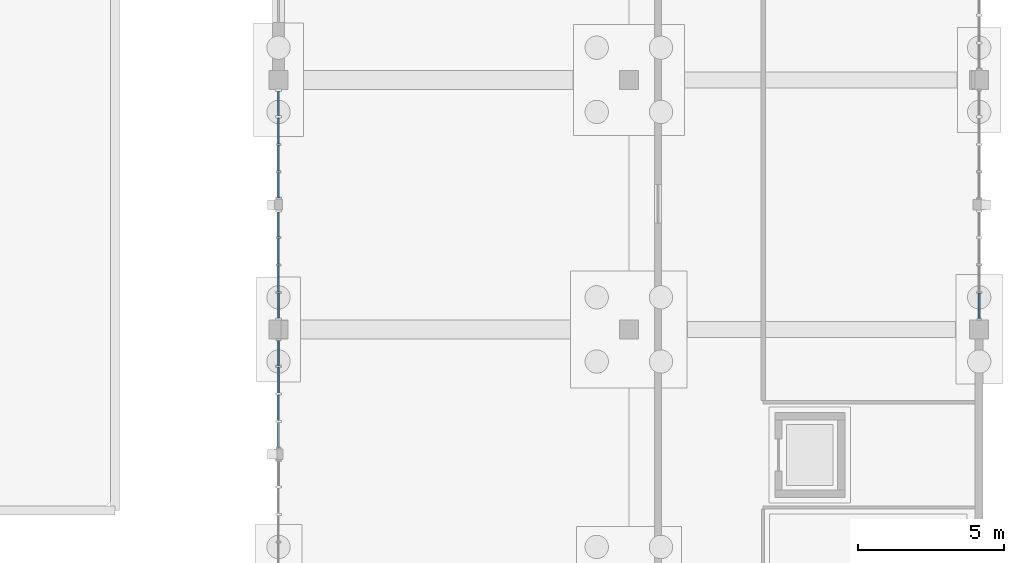
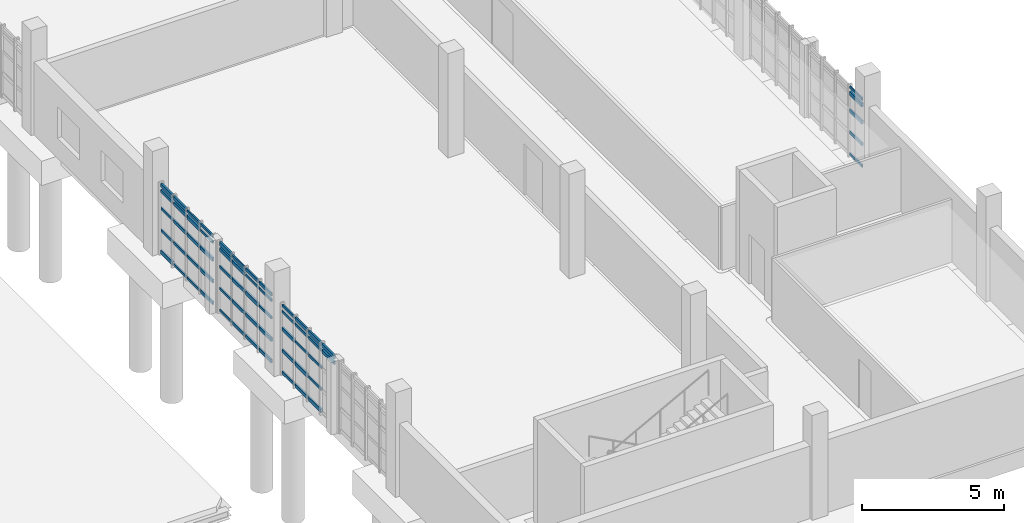
# One storey, part 71 of 125: 62 members, 4 elements without a shape of their own.
"""IFC4 building model written with IfcOpenShell, lengths in metres."""

from ifc_helpers import new_model, si_unit, direction, frame, origin, origin_2d, place, context, subcontext, project, spatial, rectangle, extrude, material, material_profile, profile_set, type_object, element, aggregate, save


model = new_model("IFC4")

# Units and contexts
model_context = context("Model", 3, precision=1e-05, world=origin(), true_north=direction((0.0, 1.0)))
body_context = subcontext(model_context, "Body", "Model", "MODEL_VIEW")
ifc_project = project(units=[si_unit("LENGTHUNIT", "METRE"), si_unit("AREAUNIT", "SQUARE_METRE"), si_unit("VOLUMEUNIT", "CUBIC_METRE"), si_unit("PLANEANGLEUNIT", "RADIAN"), si_unit("MASSUNIT", "GRAM", prefix="KILO")], contexts=[model_context])

# Site, building, storey
site_placement = place(None, origin())
site = spatial("IfcSite", under=ifc_project, at=site_placement, CompositionType="ELEMENT")
building_placement = place(site_placement, origin())
building = spatial("IfcBuilding", under=site, at=building_placement, Name="Serraforn Aerial Cableway Station", CompositionType="ELEMENT")
storey_placement = place(building_placement, frame((0.0, 0.0, 4.5)))
storey = spatial("IfcBuildingStorey", under=building, at=storey_placement, Name="L01", CompositionType="ELEMENT", Elevation=4.5)

# Curtain wall, members
ifc_material_1 = material(Name="Anodised bronze unitised curtain wall")
curtain_wall_type_1 = type_object("IfcCurtainWallType", Name="CW-SYS-3", PredefinedType="USERDEFINED", material=ifc_material_1)
curtain_wall_1_placement = place(storey_placement, origin())
curtain_wall_1 = element("IfcCurtainWall", 1, at=curtain_wall_1_placement, inside=storey, type_object=curtain_wall_type_1, Name="Unitised Curtain Wall CW-EG-L01-W2A", ObjectType="UNITISED CURTAIN WALL", PredefinedType="USERDEFINED")
ifc_material_2 = material(Name="Anodised bronze extruded aluminium", Category="aluminium")
ifc_material_profile_1 = material_profile(ifc_material_2, rectangle(XDim=0.054931640625, YDim=0.110107421875, at=origin_2d()), Name="CW TRANSOM 55x110")
ifc_profile_set_1 = profile_set([ifc_material_profile_1], Name="Anodised bronze extruded aluminium")
member_type_1 = type_object("IfcMemberType", Name="CW-TRN-1", PredefinedType="USERDEFINED", material=ifc_profile_set_1)
member_1_placement = place(storey_placement, frame((144.0, 62.319091796875, 2.74560546875), z_axis=(0.0, -1.0, 0.0), x_axis=(1.0, 0.0, 0.0)))
member_1 = element("IfcMember", 2, at=member_1_placement, type_object=member_type_1, Name="Curtain Wall Transom CW-EG-L01-W2A-T1-4", ObjectType="TRANSOM", PredefinedType="USERDEFINED", context=body_context, shape_type="SweptSolid", body=[
    extrude(rectangle(XDim=0.054931640625, YDim=0.110107421875, at=origin_2d()), origin(), (0.0, 0.0, 1.0), 0.8544921875),
])
member_2_placement = place(storey_placement, frame((144.0, 61.403564453125, 1.996826171875), z_axis=(0.0, -1.0, 0.0), x_axis=(1.0, 0.0, 0.0)))
member_2 = element("IfcMember", 3, at=member_2_placement, type_object=member_type_1, Name="Curtain Wall Transom CW-EG-L01-W2A-T2-3", ObjectType="TRANSOM", PredefinedType="USERDEFINED", context=body_context, shape_type="SweptSolid", body=[
    extrude(rectangle(XDim=0.054931640625, YDim=0.110107421875, at=origin_2d()), origin(), (0.0, 0.0, 1.0), 0.879638671875),
])
member_3_placement = place(storey_placement, frame((144.0, 60.4580078125, 1.060791015625), z_axis=(0.0, -1.0, 0.0), x_axis=(1.0, 0.0, 0.0)))
member_3 = element("IfcMember", 4, at=member_3_placement, type_object=member_type_1, Name="Curtain Wall Transom CW-EG-L01-W2A-T3-2", ObjectType="TRANSOM", PredefinedType="USERDEFINED", context=body_context, shape_type="SweptSolid", body=[
    extrude(rectangle(XDim=0.054931640625, YDim=0.110107421875, at=origin_2d()), origin(), (0.0, 0.0, 1.0), 0.87451171875),
])

curtain_wall_type_2 = type_object("IfcCurtainWallType", Name="CW-SYS-5", PredefinedType="USERDEFINED", material=ifc_material_1)
curtain_wall_2_placement = place(storey_placement, origin())
curtain_wall_2 = element("IfcCurtainWall", 5, at=curtain_wall_2_placement, inside=storey, type_object=curtain_wall_type_2, Name="Unitised Curtain Wall CW-EG-L01-W3A", ObjectType="UNITISED CURTAIN WALL", PredefinedType="USERDEFINED")
member_4_placement = place(storey_placement, frame((144.0, 70.85888671875, 1.060791015625), z_axis=(0.0, -1.0, 0.0), x_axis=(1.0, 0.0, 0.0)))
member_4 = element("IfcMember", 6, at=member_4_placement, type_object=member_type_1, Name="Curtain Wall Transom CW-EG-L01-W3A-T1-2", ObjectType="TRANSOM", PredefinedType="USERDEFINED", context=body_context, shape_type="SweptSolid", body=[
    extrude(rectangle(XDim=0.054931640625, YDim=0.110107421875, at=origin_2d()), origin(), (0.0, 0.0, 1.0), 0.83935546875),
])
member_5_placement = place(storey_placement, frame((144.0, 69.948486328125, 0.124755859375), z_axis=(0.0, -1.0, 0.0), x_axis=(1.0, 0.0, 0.0)))
member_5 = element("IfcMember", 7, at=member_5_placement, type_object=member_type_1, Name="Curtain Wall Transom CW-EG-L01-W3A-T2-1", ObjectType="TRANSOM", PredefinedType="USERDEFINED", context=body_context, shape_type="SweptSolid", body=[
    extrude(rectangle(XDim=0.054931640625, YDim=0.110107421875, at=origin_2d()), origin(), (0.0, 0.0, 1.0), 0.882080078125),
])
member_6_placement = place(storey_placement, frame((144.0, 69.015380859375, 2.9951171875), z_axis=(0.0, -1.0, 0.0), x_axis=(1.0, 0.0, 0.0)))
member_6 = element("IfcMember", 8, at=member_6_placement, type_object=member_type_1, Name="Curtain Wall Transom CW-EG-L01-W3A-T3-5", ObjectType="TRANSOM", PredefinedType="USERDEFINED", context=body_context, shape_type="SweptSolid", body=[
    extrude(rectangle(XDim=0.054931640625, YDim=0.110107421875, at=origin_2d()), origin(), (0.0, 0.0, 1.0), 0.889404296875),
])
member_7_placement = place(storey_placement, frame((144.0, 68.070068359375, 2.74560546875), z_axis=(0.0, -1.0, 0.0), x_axis=(1.0, 0.0, 0.0)))
member_7 = element("IfcMember", 9, at=member_7_placement, type_object=member_type_1, Name="Curtain Wall Transom CW-EG-L01-W3A-T4-4", ObjectType="TRANSOM", PredefinedType="USERDEFINED", context=body_context, shape_type="SweptSolid", body=[
    extrude(rectangle(XDim=0.054931640625, YDim=0.110107421875, at=origin_2d()), origin(), (0.0, 0.0, 1.0), 0.85205078125),
])

curtain_wall_type_3 = type_object("IfcCurtainWallType", Name="CW-SYS-6", PredefinedType="USERDEFINED", material=ifc_material_1)
curtain_wall_3_placement = place(storey_placement, origin())
curtain_wall_3 = element("IfcCurtainWall", 10, at=curtain_wall_3_placement, inside=storey, type_object=curtain_wall_type_3, Name="Unitised Curtain Wall CW-EG-L01-W3B", ObjectType="UNITISED CURTAIN WALL", PredefinedType="USERDEFINED")
member_8_placement = place(storey_placement, frame((144.0, 66.721923828125, 0.124755859375), z_axis=(0.0, -1.0, 0.0), x_axis=(1.0, 0.0, 0.0)))
member_8 = element("IfcMember", 11, at=member_8_placement, type_object=member_type_1, Name="Curtain Wall Transom CW-EG-L01-W3B-T1-1", ObjectType="TRANSOM", PredefinedType="USERDEFINED", context=body_context, shape_type="SweptSolid", body=[
    extrude(rectangle(XDim=0.054931640625, YDim=0.110107421875, at=origin_2d()), origin(), (0.0, 0.0, 1.0), 0.844482421875),
])
member_9_placement = place(storey_placement, frame((144.0, 65.826416015625, 2.9951171875), z_axis=(0.0, -1.0, 0.0), x_axis=(1.0, 0.0, 0.0)))
member_9 = element("IfcMember", 12, at=member_9_placement, type_object=member_type_1, Name="Curtain Wall Transom CW-EG-L01-W3B-T2-5", ObjectType="TRANSOM", PredefinedType="USERDEFINED", context=body_context, shape_type="SweptSolid", body=[
    extrude(rectangle(XDim=0.054931640625, YDim=0.110107421875, at=origin_2d()), origin(), (0.0, 0.0, 1.0), 0.889404296875),
])
member_10_placement = place(storey_placement, frame((144.0, 64.881103515625, 2.74560546875), z_axis=(0.0, -1.0, 0.0), x_axis=(1.0, 0.0, 0.0)))
member_10 = element("IfcMember", 13, at=member_10_placement, type_object=member_type_1, Name="Curtain Wall Transom CW-EG-L01-W3B-T3-4", ObjectType="TRANSOM", PredefinedType="USERDEFINED", context=body_context, shape_type="SweptSolid", body=[
    extrude(rectangle(XDim=0.054931640625, YDim=0.110107421875, at=origin_2d()), origin(), (0.0, 0.0, 1.0), 0.884521484375),
])
member_11_placement = place(storey_placement, frame((144.0, 63.935546875, 1.996826171875), z_axis=(0.0, -1.0, 0.0), x_axis=(1.0, 0.0, 0.0)))
member_11 = element("IfcMember", 14, at=member_11_placement, type_object=member_type_1, Name="Curtain Wall Transom CW-EG-L01-W3B-T4-3", ObjectType="TRANSOM", PredefinedType="USERDEFINED", context=body_context, shape_type="SweptSolid", body=[
    extrude(rectangle(XDim=0.054931640625, YDim=0.110107421875, at=origin_2d()), origin(), (0.0, 0.0, 1.0), 0.844482421875),
])

# Curtain wall, member
curtain_wall_type_4 = type_object("IfcCurtainWallType", Name="CW-SYS-7", PredefinedType="USERDEFINED", material=ifc_material_1)
curtain_wall_4_placement = place(storey_placement, origin())
curtain_wall_4 = element("IfcCurtainWall", 15, at=curtain_wall_4_placement, inside=storey, type_object=curtain_wall_type_4, Name="Unitised Curtain Wall CW-EG-L01-E3A", ObjectType="UNITISED CURTAIN WALL", PredefinedType="USERDEFINED")
member_12_placement = place(storey_placement, frame((168.0, 63.075927734375, 2.9951171875), z_axis=(0.0, 1.0, 0.0), x_axis=(-1.0, 0.0, 0.0)))
member_12 = element("IfcMember", 16, at=member_12_placement, type_object=member_type_1, Name="Curtain Wall Transom CW-EG-L01-E3A-T1-5", ObjectType="TRANSOM", PredefinedType="USERDEFINED", context=body_context, shape_type="SweptSolid", body=[
    extrude(rectangle(XDim=0.054931640625, YDim=0.110107421875, at=origin_2d()), origin(), (0.0, 0.0, 1.0), 0.862060546875),
])

# Member
ifc_material_profile_2 = material_profile(ifc_material_2, rectangle(XDim=0.06005859375, YDim=0.1201171875, at=origin_2d()), Name="CW TRANSOM 60x120")
ifc_profile_set_2 = profile_set([ifc_material_profile_2], Name="Anodised bronze extruded aluminium")
member_type_2 = type_object("IfcMemberType", Name="CW-TRN-2", PredefinedType="USERDEFINED", material=ifc_profile_set_2)
member_13_placement = place(storey_placement, frame((144.0, 62.319091796875, 2.9951171875), z_axis=(0.0, -1.0, 0.0), x_axis=(1.0, 0.0, 0.0)))
member_13 = element("IfcMember", 17, at=member_13_placement, type_object=member_type_2, Name="Curtain Wall Transom CW-EG-L01-W2A-T1-5", ObjectType="TRANSOM", PredefinedType="USERDEFINED", context=body_context, shape_type="SweptSolid", body=[
    extrude(rectangle(XDim=0.06005859375, YDim=0.1201171875, at=origin_2d()), origin(), (0.0, 0.0, 1.0), 0.8544921875),
])

member_14_placement = place(storey_placement, frame((144.0, 61.403564453125, 2.74560546875), z_axis=(0.0, -1.0, 0.0), x_axis=(1.0, 0.0, 0.0)))
member_14 = element("IfcMember", 18, at=member_14_placement, type_object=member_type_2, Name="Curtain Wall Transom CW-EG-L01-W2A-T2-4", ObjectType="TRANSOM", PredefinedType="USERDEFINED", context=body_context, shape_type="SweptSolid", body=[
    extrude(rectangle(XDim=0.06005859375, YDim=0.1201171875, at=origin_2d()), origin(), (0.0, 0.0, 1.0), 0.879638671875),
])

member_15_placement = place(storey_placement, frame((144.0, 60.4580078125, 1.996826171875), z_axis=(0.0, -1.0, 0.0), x_axis=(1.0, 0.0, 0.0)))
member_15 = element("IfcMember", 19, at=member_15_placement, type_object=member_type_2, Name="Curtain Wall Transom CW-EG-L01-W2A-T3-3", ObjectType="TRANSOM", PredefinedType="USERDEFINED", context=body_context, shape_type="SweptSolid", body=[
    extrude(rectangle(XDim=0.06005859375, YDim=0.1201171875, at=origin_2d()), origin(), (0.0, 0.0, 1.0), 0.87451171875),
])

member_16_placement = place(storey_placement, frame((144.0, 70.85888671875, 1.996826171875), z_axis=(0.0, -1.0, 0.0), x_axis=(1.0, 0.0, 0.0)))
member_16 = element("IfcMember", 20, at=member_16_placement, type_object=member_type_2, Name="Curtain Wall Transom CW-EG-L01-W3A-T1-3", ObjectType="TRANSOM", PredefinedType="USERDEFINED", context=body_context, shape_type="SweptSolid", body=[
    extrude(rectangle(XDim=0.06005859375, YDim=0.1201171875, at=origin_2d()), origin(), (0.0, 0.0, 1.0), 0.83935546875),
])

member_17_placement = place(storey_placement, frame((144.0, 69.948486328125, 1.060791015625), z_axis=(0.0, -1.0, 0.0), x_axis=(1.0, 0.0, 0.0)))
member_17 = element("IfcMember", 21, at=member_17_placement, type_object=member_type_2, Name="Curtain Wall Transom CW-EG-L01-W3A-T2-2", ObjectType="TRANSOM", PredefinedType="USERDEFINED", context=body_context, shape_type="SweptSolid", body=[
    extrude(rectangle(XDim=0.06005859375, YDim=0.1201171875, at=origin_2d()), origin(), (0.0, 0.0, 1.0), 0.882080078125),
])

member_18_placement = place(storey_placement, frame((144.0, 69.015380859375, 0.124755859375), z_axis=(0.0, -1.0, 0.0), x_axis=(1.0, 0.0, 0.0)))
member_18 = element("IfcMember", 22, at=member_18_placement, type_object=member_type_2, Name="Curtain Wall Transom CW-EG-L01-W3A-T3-1", ObjectType="TRANSOM", PredefinedType="USERDEFINED", context=body_context, shape_type="SweptSolid", body=[
    extrude(rectangle(XDim=0.06005859375, YDim=0.1201171875, at=origin_2d()), origin(), (0.0, 0.0, 1.0), 0.889404296875),
])

member_19_placement = place(storey_placement, frame((144.0, 68.070068359375, 2.9951171875), z_axis=(0.0, -1.0, 0.0), x_axis=(1.0, 0.0, 0.0)))
member_19 = element("IfcMember", 23, at=member_19_placement, type_object=member_type_2, Name="Curtain Wall Transom CW-EG-L01-W3A-T4-5", ObjectType="TRANSOM", PredefinedType="USERDEFINED", context=body_context, shape_type="SweptSolid", body=[
    extrude(rectangle(XDim=0.06005859375, YDim=0.1201171875, at=origin_2d()), origin(), (0.0, 0.0, 1.0), 0.85205078125),
])

member_20_placement = place(storey_placement, frame((144.0, 66.721923828125, 1.060791015625), z_axis=(0.0, -1.0, 0.0), x_axis=(1.0, 0.0, 0.0)))
member_20 = element("IfcMember", 24, at=member_20_placement, type_object=member_type_2, Name="Curtain Wall Transom CW-EG-L01-W3B-T1-2", ObjectType="TRANSOM", PredefinedType="USERDEFINED", context=body_context, shape_type="SweptSolid", body=[
    extrude(rectangle(XDim=0.06005859375, YDim=0.1201171875, at=origin_2d()), origin(), (0.0, 0.0, 1.0), 0.844482421875),
])

member_21_placement = place(storey_placement, frame((144.0, 65.826416015625, 0.124755859375), z_axis=(0.0, -1.0, 0.0), x_axis=(1.0, 0.0, 0.0)))
member_21 = element("IfcMember", 25, at=member_21_placement, type_object=member_type_2, Name="Curtain Wall Transom CW-EG-L01-W3B-T2-1", ObjectType="TRANSOM", PredefinedType="USERDEFINED", context=body_context, shape_type="SweptSolid", body=[
    extrude(rectangle(XDim=0.06005859375, YDim=0.1201171875, at=origin_2d()), origin(), (0.0, 0.0, 1.0), 0.889404296875),
])

member_22_placement = place(storey_placement, frame((144.0, 64.881103515625, 2.9951171875), z_axis=(0.0, -1.0, 0.0), x_axis=(1.0, 0.0, 0.0)))
member_22 = element("IfcMember", 26, at=member_22_placement, type_object=member_type_2, Name="Curtain Wall Transom CW-EG-L01-W3B-T3-5", ObjectType="TRANSOM", PredefinedType="USERDEFINED", context=body_context, shape_type="SweptSolid", body=[
    extrude(rectangle(XDim=0.06005859375, YDim=0.1201171875, at=origin_2d()), origin(), (0.0, 0.0, 1.0), 0.884521484375),
])

member_23_placement = place(storey_placement, frame((144.0, 63.935546875, 2.74560546875), z_axis=(0.0, -1.0, 0.0), x_axis=(1.0, 0.0, 0.0)))
member_23 = element("IfcMember", 27, at=member_23_placement, type_object=member_type_2, Name="Curtain Wall Transom CW-EG-L01-W3B-T4-4", ObjectType="TRANSOM", PredefinedType="USERDEFINED", context=body_context, shape_type="SweptSolid", body=[
    extrude(rectangle(XDim=0.06005859375, YDim=0.1201171875, at=origin_2d()), origin(), (0.0, 0.0, 1.0), 0.844482421875),
])

member_24_placement = place(storey_placement, frame((168.0, 63.075927734375, 0.124755859375), z_axis=(0.0, 1.0, 0.0), x_axis=(-1.0, 0.0, 0.0)))
member_24 = element("IfcMember", 28, at=member_24_placement, type_object=member_type_2, Name="Curtain Wall Transom CW-EG-L01-E3A-T1-1", ObjectType="TRANSOM", PredefinedType="USERDEFINED", context=body_context, shape_type="SweptSolid", body=[
    extrude(rectangle(XDim=0.06005859375, YDim=0.1201171875, at=origin_2d()), origin(), (0.0, 0.0, 1.0), 0.862060546875),
])

ifc_material_profile_3 = material_profile(ifc_material_2, rectangle(XDim=0.06494140625, YDim=0.135009765625, at=origin_2d()), Name="CW TRANSOM 65x135")
ifc_profile_set_3 = profile_set([ifc_material_profile_3], Name="Anodised bronze extruded aluminium")
member_type_3 = type_object("IfcMemberType", Name="CW-TRN-3", PredefinedType="USERDEFINED", material=ifc_profile_set_3)
member_25_placement = place(storey_placement, frame((144.0, 62.319091796875, 0.124755859375), z_axis=(0.0, -1.0, 0.0), x_axis=(1.0, 0.0, 0.0)))
member_25 = element("IfcMember", 29, at=member_25_placement, type_object=member_type_3, Name="Curtain Wall Transom CW-EG-L01-W2A-T1-1", ObjectType="TRANSOM", PredefinedType="USERDEFINED", context=body_context, shape_type="SweptSolid", body=[
    extrude(rectangle(XDim=0.06494140625, YDim=0.135009765625, at=origin_2d()), origin(), (0.0, 0.0, 1.0), 0.8544921875),
])

member_26_placement = place(storey_placement, frame((144.0, 61.403564453125, 2.9951171875), z_axis=(0.0, -1.0, 0.0), x_axis=(1.0, 0.0, 0.0)))
member_26 = element("IfcMember", 30, at=member_26_placement, type_object=member_type_3, Name="Curtain Wall Transom CW-EG-L01-W2A-T2-5", ObjectType="TRANSOM", PredefinedType="USERDEFINED", context=body_context, shape_type="SweptSolid", body=[
    extrude(rectangle(XDim=0.06494140625, YDim=0.135009765625, at=origin_2d()), origin(), (0.0, 0.0, 1.0), 0.879638671875),
])

member_27_placement = place(storey_placement, frame((144.0, 60.4580078125, 2.74560546875), z_axis=(0.0, -1.0, 0.0), x_axis=(1.0, 0.0, 0.0)))
member_27 = element("IfcMember", 31, at=member_27_placement, type_object=member_type_3, Name="Curtain Wall Transom CW-EG-L01-W2A-T3-4", ObjectType="TRANSOM", PredefinedType="USERDEFINED", context=body_context, shape_type="SweptSolid", body=[
    extrude(rectangle(XDim=0.06494140625, YDim=0.135009765625, at=origin_2d()), origin(), (0.0, 0.0, 1.0), 0.87451171875),
])

member_28_placement = place(storey_placement, frame((144.0, 70.85888671875, 2.74560546875), z_axis=(0.0, -1.0, 0.0), x_axis=(1.0, 0.0, 0.0)))
member_28 = element("IfcMember", 32, at=member_28_placement, type_object=member_type_3, Name="Curtain Wall Transom CW-EG-L01-W3A-T1-4", ObjectType="TRANSOM", PredefinedType="USERDEFINED", context=body_context, shape_type="SweptSolid", body=[
    extrude(rectangle(XDim=0.06494140625, YDim=0.135009765625, at=origin_2d()), origin(), (0.0, 0.0, 1.0), 0.83935546875),
])

member_29_placement = place(storey_placement, frame((144.0, 69.948486328125, 1.996826171875), z_axis=(0.0, -1.0, 0.0), x_axis=(1.0, 0.0, 0.0)))
member_29 = element("IfcMember", 33, at=member_29_placement, type_object=member_type_3, Name="Curtain Wall Transom CW-EG-L01-W3A-T2-3", ObjectType="TRANSOM", PredefinedType="USERDEFINED", context=body_context, shape_type="SweptSolid", body=[
    extrude(rectangle(XDim=0.06494140625, YDim=0.135009765625, at=origin_2d()), origin(), (0.0, 0.0, 1.0), 0.882080078125),
])

member_30_placement = place(storey_placement, frame((144.0, 69.015380859375, 1.060791015625), z_axis=(0.0, -1.0, 0.0), x_axis=(1.0, 0.0, 0.0)))
member_30 = element("IfcMember", 34, at=member_30_placement, type_object=member_type_3, Name="Curtain Wall Transom CW-EG-L01-W3A-T3-2", ObjectType="TRANSOM", PredefinedType="USERDEFINED", context=body_context, shape_type="SweptSolid", body=[
    extrude(rectangle(XDim=0.06494140625, YDim=0.135009765625, at=origin_2d()), origin(), (0.0, 0.0, 1.0), 0.889404296875),
])

member_31_placement = place(storey_placement, frame((144.0, 68.070068359375, 0.124755859375), z_axis=(0.0, -1.0, 0.0), x_axis=(1.0, 0.0, 0.0)))
member_31 = element("IfcMember", 35, at=member_31_placement, type_object=member_type_3, Name="Curtain Wall Transom CW-EG-L01-W3A-T4-1", ObjectType="TRANSOM", PredefinedType="USERDEFINED", context=body_context, shape_type="SweptSolid", body=[
    extrude(rectangle(XDim=0.06494140625, YDim=0.135009765625, at=origin_2d()), origin(), (0.0, 0.0, 1.0), 0.85205078125),
])

member_32_placement = place(storey_placement, frame((144.0, 66.721923828125, 1.996826171875), z_axis=(0.0, -1.0, 0.0), x_axis=(1.0, 0.0, 0.0)))
member_32 = element("IfcMember", 36, at=member_32_placement, type_object=member_type_3, Name="Curtain Wall Transom CW-EG-L01-W3B-T1-3", ObjectType="TRANSOM", PredefinedType="USERDEFINED", context=body_context, shape_type="SweptSolid", body=[
    extrude(rectangle(XDim=0.06494140625, YDim=0.135009765625, at=origin_2d()), origin(), (0.0, 0.0, 1.0), 0.844482421875),
])

member_33_placement = place(storey_placement, frame((144.0, 65.826416015625, 1.060791015625), z_axis=(0.0, -1.0, 0.0), x_axis=(1.0, 0.0, 0.0)))
member_33 = element("IfcMember", 37, at=member_33_placement, type_object=member_type_3, Name="Curtain Wall Transom CW-EG-L01-W3B-T2-2", ObjectType="TRANSOM", PredefinedType="USERDEFINED", context=body_context, shape_type="SweptSolid", body=[
    extrude(rectangle(XDim=0.06494140625, YDim=0.135009765625, at=origin_2d()), origin(), (0.0, 0.0, 1.0), 0.889404296875),
])

member_34_placement = place(storey_placement, frame((144.0, 64.881103515625, 0.124755859375), z_axis=(0.0, -1.0, 0.0), x_axis=(1.0, 0.0, 0.0)))
member_34 = element("IfcMember", 38, at=member_34_placement, type_object=member_type_3, Name="Curtain Wall Transom CW-EG-L01-W3B-T3-1", ObjectType="TRANSOM", PredefinedType="USERDEFINED", context=body_context, shape_type="SweptSolid", body=[
    extrude(rectangle(XDim=0.06494140625, YDim=0.135009765625, at=origin_2d()), origin(), (0.0, 0.0, 1.0), 0.884521484375),
])

member_35_placement = place(storey_placement, frame((144.0, 63.935546875, 2.9951171875), z_axis=(0.0, -1.0, 0.0), x_axis=(1.0, 0.0, 0.0)))
member_35 = element("IfcMember", 39, at=member_35_placement, type_object=member_type_3, Name="Curtain Wall Transom CW-EG-L01-W3B-T4-5", ObjectType="TRANSOM", PredefinedType="USERDEFINED", context=body_context, shape_type="SweptSolid", body=[
    extrude(rectangle(XDim=0.06494140625, YDim=0.135009765625, at=origin_2d()), origin(), (0.0, 0.0, 1.0), 0.844482421875),
])

member_36_placement = place(storey_placement, frame((168.0, 63.075927734375, 1.060791015625), z_axis=(0.0, 1.0, 0.0), x_axis=(-1.0, 0.0, 0.0)))
member_36 = element("IfcMember", 40, at=member_36_placement, type_object=member_type_3, Name="Curtain Wall Transom CW-EG-L01-E3A-T1-2", ObjectType="TRANSOM", PredefinedType="USERDEFINED", context=body_context, shape_type="SweptSolid", body=[
    extrude(rectangle(XDim=0.06494140625, YDim=0.135009765625, at=origin_2d()), origin(), (0.0, 0.0, 1.0), 0.862060546875),
])

ifc_material_profile_4 = material_profile(ifc_material_2, rectangle(XDim=0.070068359375, YDim=0.14990234375, at=origin_2d()), Name="CW TRANSOM 70x150")
ifc_profile_set_4 = profile_set([ifc_material_profile_4], Name="Anodised bronze extruded aluminium")
member_type_4 = type_object("IfcMemberType", Name="CW-TRN-4", PredefinedType="USERDEFINED", material=ifc_profile_set_4)
member_37_placement = place(storey_placement, frame((144.0, 62.319091796875, 1.060791015625), z_axis=(0.0, -1.0, 0.0), x_axis=(1.0, 0.0, 0.0)))
member_37 = element("IfcMember", 41, at=member_37_placement, type_object=member_type_4, Name="Curtain Wall Transom CW-EG-L01-W2A-T1-2", ObjectType="TRANSOM", PredefinedType="USERDEFINED", context=body_context, shape_type="SweptSolid", body=[
    extrude(rectangle(XDim=0.070068359375, YDim=0.14990234375, at=origin_2d()), origin(), (0.0, 0.0, 1.0), 0.8544921875),
])

member_38_placement = place(storey_placement, frame((144.0, 61.403564453125, 0.124755859375), z_axis=(0.0, -1.0, 0.0), x_axis=(1.0, 0.0, 0.0)))
member_38 = element("IfcMember", 42, at=member_38_placement, type_object=member_type_4, Name="Curtain Wall Transom CW-EG-L01-W2A-T2-1", ObjectType="TRANSOM", PredefinedType="USERDEFINED", context=body_context, shape_type="SweptSolid", body=[
    extrude(rectangle(XDim=0.070068359375, YDim=0.14990234375, at=origin_2d()), origin(), (0.0, 0.0, 1.0), 0.879638671875),
])

member_39_placement = place(storey_placement, frame((144.0, 60.4580078125, 2.9951171875), z_axis=(0.0, -1.0, 0.0), x_axis=(1.0, 0.0, 0.0)))
member_39 = element("IfcMember", 43, at=member_39_placement, type_object=member_type_4, Name="Curtain Wall Transom CW-EG-L01-W2A-T3-5", ObjectType="TRANSOM", PredefinedType="USERDEFINED", context=body_context, shape_type="SweptSolid", body=[
    extrude(rectangle(XDim=0.070068359375, YDim=0.14990234375, at=origin_2d()), origin(), (0.0, 0.0, 1.0), 0.87451171875),
])

member_40_placement = place(storey_placement, frame((144.0, 59.512451171875, 2.74560546875), z_axis=(0.0, -1.0, 0.0), x_axis=(1.0, 0.0, 0.0)))
member_40 = element("IfcMember", 44, at=member_40_placement, type_object=member_type_4, Name="Curtain Wall Transom CW-EG-L01-W2A-T4-4", ObjectType="TRANSOM", PredefinedType="USERDEFINED", context=body_context, shape_type="SweptSolid", body=[
    extrude(rectangle(XDim=0.070068359375, YDim=0.14990234375, at=origin_2d()), origin(), (0.0, 0.0, 1.0), 0.8544921875),
])

member_41_placement = place(storey_placement, frame((144.0, 70.85888671875, 2.9951171875), z_axis=(0.0, -1.0, 0.0), x_axis=(1.0, 0.0, 0.0)))
member_41 = element("IfcMember", 45, at=member_41_placement, type_object=member_type_4, Name="Curtain Wall Transom CW-EG-L01-W3A-T1-5", ObjectType="TRANSOM", PredefinedType="USERDEFINED", context=body_context, shape_type="SweptSolid", body=[
    extrude(rectangle(XDim=0.070068359375, YDim=0.14990234375, at=origin_2d()), origin(), (0.0, 0.0, 1.0), 0.83935546875),
])

member_42_placement = place(storey_placement, frame((144.0, 69.948486328125, 2.74560546875), z_axis=(0.0, -1.0, 0.0), x_axis=(1.0, 0.0, 0.0)))
member_42 = element("IfcMember", 46, at=member_42_placement, type_object=member_type_4, Name="Curtain Wall Transom CW-EG-L01-W3A-T2-4", ObjectType="TRANSOM", PredefinedType="USERDEFINED", context=body_context, shape_type="SweptSolid", body=[
    extrude(rectangle(XDim=0.070068359375, YDim=0.14990234375, at=origin_2d()), origin(), (0.0, 0.0, 1.0), 0.882080078125),
])

member_43_placement = place(storey_placement, frame((144.0, 69.015380859375, 1.996826171875), z_axis=(0.0, -1.0, 0.0), x_axis=(1.0, 0.0, 0.0)))
member_43 = element("IfcMember", 47, at=member_43_placement, type_object=member_type_4, Name="Curtain Wall Transom CW-EG-L01-W3A-T3-3", ObjectType="TRANSOM", PredefinedType="USERDEFINED", context=body_context, shape_type="SweptSolid", body=[
    extrude(rectangle(XDim=0.070068359375, YDim=0.14990234375, at=origin_2d()), origin(), (0.0, 0.0, 1.0), 0.889404296875),
])

member_44_placement = place(storey_placement, frame((144.0, 68.070068359375, 1.060791015625), z_axis=(0.0, -1.0, 0.0), x_axis=(1.0, 0.0, 0.0)))
member_44 = element("IfcMember", 48, at=member_44_placement, type_object=member_type_4, Name="Curtain Wall Transom CW-EG-L01-W3A-T4-2", ObjectType="TRANSOM", PredefinedType="USERDEFINED", context=body_context, shape_type="SweptSolid", body=[
    extrude(rectangle(XDim=0.070068359375, YDim=0.14990234375, at=origin_2d()), origin(), (0.0, 0.0, 1.0), 0.85205078125),
])

member_45_placement = place(storey_placement, frame((144.0, 66.721923828125, 2.74560546875), z_axis=(0.0, -1.0, 0.0), x_axis=(1.0, 0.0, 0.0)))
member_45 = element("IfcMember", 49, at=member_45_placement, type_object=member_type_4, Name="Curtain Wall Transom CW-EG-L01-W3B-T1-4", ObjectType="TRANSOM", PredefinedType="USERDEFINED", context=body_context, shape_type="SweptSolid", body=[
    extrude(rectangle(XDim=0.070068359375, YDim=0.14990234375, at=origin_2d()), origin(), (0.0, 0.0, 1.0), 0.844482421875),
])

member_46_placement = place(storey_placement, frame((144.0, 65.826416015625, 1.996826171875), z_axis=(0.0, -1.0, 0.0), x_axis=(1.0, 0.0, 0.0)))
member_46 = element("IfcMember", 50, at=member_46_placement, type_object=member_type_4, Name="Curtain Wall Transom CW-EG-L01-W3B-T2-3", ObjectType="TRANSOM", PredefinedType="USERDEFINED", context=body_context, shape_type="SweptSolid", body=[
    extrude(rectangle(XDim=0.070068359375, YDim=0.14990234375, at=origin_2d()), origin(), (0.0, 0.0, 1.0), 0.889404296875),
])

member_47_placement = place(storey_placement, frame((144.0, 64.881103515625, 1.060791015625), z_axis=(0.0, -1.0, 0.0), x_axis=(1.0, 0.0, 0.0)))
member_47 = element("IfcMember", 51, at=member_47_placement, type_object=member_type_4, Name="Curtain Wall Transom CW-EG-L01-W3B-T3-2", ObjectType="TRANSOM", PredefinedType="USERDEFINED", context=body_context, shape_type="SweptSolid", body=[
    extrude(rectangle(XDim=0.070068359375, YDim=0.14990234375, at=origin_2d()), origin(), (0.0, 0.0, 1.0), 0.884521484375),
])

member_48_placement = place(storey_placement, frame((144.0, 63.935546875, 0.124755859375), z_axis=(0.0, -1.0, 0.0), x_axis=(1.0, 0.0, 0.0)))
member_48 = element("IfcMember", 52, at=member_48_placement, type_object=member_type_4, Name="Curtain Wall Transom CW-EG-L01-W3B-T4-1", ObjectType="TRANSOM", PredefinedType="USERDEFINED", context=body_context, shape_type="SweptSolid", body=[
    extrude(rectangle(XDim=0.070068359375, YDim=0.14990234375, at=origin_2d()), origin(), (0.0, 0.0, 1.0), 0.844482421875),
])

member_49_placement = place(storey_placement, frame((168.0, 63.075927734375, 1.996826171875), z_axis=(0.0, 1.0, 0.0), x_axis=(-1.0, 0.0, 0.0)))
member_49 = element("IfcMember", 53, at=member_49_placement, type_object=member_type_4, Name="Curtain Wall Transom CW-EG-L01-E3A-T1-3", ObjectType="TRANSOM", PredefinedType="USERDEFINED", context=body_context, shape_type="SweptSolid", body=[
    extrude(rectangle(XDim=0.070068359375, YDim=0.14990234375, at=origin_2d()), origin(), (0.0, 0.0, 1.0), 0.862060546875),
])

ifc_material_profile_5 = material_profile(ifc_material_2, rectangle(XDim=0.074951171875, YDim=0.1650390625, at=origin_2d()), Name="CW TRANSOM 75x165")
ifc_profile_set_5 = profile_set([ifc_material_profile_5], Name="Anodised bronze extruded aluminium")
member_type_5 = type_object("IfcMemberType", Name="CW-TRN-5", PredefinedType="USERDEFINED", material=ifc_profile_set_5)
member_50_placement = place(storey_placement, frame((144.0, 62.319091796875, 1.996826171875), z_axis=(0.0, -1.0, 0.0), x_axis=(1.0, 0.0, 0.0)))
member_50 = element("IfcMember", 54, at=member_50_placement, type_object=member_type_5, Name="Curtain Wall Transom CW-EG-L01-W2A-T1-3", ObjectType="TRANSOM", PredefinedType="USERDEFINED", context=body_context, shape_type="SweptSolid", body=[
    extrude(rectangle(XDim=0.074951171875, YDim=0.1650390625, at=origin_2d()), origin(), (0.0, 0.0, 1.0), 0.8544921875),
])

member_51_placement = place(storey_placement, frame((144.0, 61.403564453125, 1.060791015625), z_axis=(0.0, -1.0, 0.0), x_axis=(1.0, 0.0, 0.0)))
member_51 = element("IfcMember", 55, at=member_51_placement, type_object=member_type_5, Name="Curtain Wall Transom CW-EG-L01-W2A-T2-2", ObjectType="TRANSOM", PredefinedType="USERDEFINED", context=body_context, shape_type="SweptSolid", body=[
    extrude(rectangle(XDim=0.074951171875, YDim=0.1650390625, at=origin_2d()), origin(), (0.0, 0.0, 1.0), 0.879638671875),
])

member_52_placement = place(storey_placement, frame((144.0, 60.4580078125, 0.124755859375), z_axis=(0.0, -1.0, 0.0), x_axis=(1.0, 0.0, 0.0)))
member_52 = element("IfcMember", 56, at=member_52_placement, type_object=member_type_5, Name="Curtain Wall Transom CW-EG-L01-W2A-T3-1", ObjectType="TRANSOM", PredefinedType="USERDEFINED", context=body_context, shape_type="SweptSolid", body=[
    extrude(rectangle(XDim=0.074951171875, YDim=0.1650390625, at=origin_2d()), origin(), (0.0, 0.0, 1.0), 0.87451171875),
])

member_53_placement = place(storey_placement, frame((144.0, 59.512451171875, 2.9951171875), z_axis=(0.0, -1.0, 0.0), x_axis=(1.0, 0.0, 0.0)))
member_53 = element("IfcMember", 57, at=member_53_placement, type_object=member_type_5, Name="Curtain Wall Transom CW-EG-L01-W2A-T4-5", ObjectType="TRANSOM", PredefinedType="USERDEFINED", context=body_context, shape_type="SweptSolid", body=[
    extrude(rectangle(XDim=0.074951171875, YDim=0.1650390625, at=origin_2d()), origin(), (0.0, 0.0, 1.0), 0.8544921875),
])

aggregate(curtain_wall_1, [member_25, member_37, member_50, member_1, member_13, member_38, member_51, member_2, member_14, member_26, member_52, member_3, member_15, member_27, member_39, member_40, member_53])

member_54_placement = place(storey_placement, frame((144.0, 70.85888671875, 0.124755859375), z_axis=(0.0, -1.0, 0.0), x_axis=(1.0, 0.0, 0.0)))
member_54 = element("IfcMember", 58, at=member_54_placement, type_object=member_type_5, Name="Curtain Wall Transom CW-EG-L01-W3A-T1-1", ObjectType="TRANSOM", PredefinedType="USERDEFINED", context=body_context, shape_type="SweptSolid", body=[
    extrude(rectangle(XDim=0.074951171875, YDim=0.1650390625, at=origin_2d()), origin(), (0.0, 0.0, 1.0), 0.83935546875),
])

member_55_placement = place(storey_placement, frame((144.0, 69.948486328125, 2.9951171875), z_axis=(0.0, -1.0, 0.0), x_axis=(1.0, 0.0, 0.0)))
member_55 = element("IfcMember", 59, at=member_55_placement, type_object=member_type_5, Name="Curtain Wall Transom CW-EG-L01-W3A-T2-5", ObjectType="TRANSOM", PredefinedType="USERDEFINED", context=body_context, shape_type="SweptSolid", body=[
    extrude(rectangle(XDim=0.074951171875, YDim=0.1650390625, at=origin_2d()), origin(), (0.0, 0.0, 1.0), 0.882080078125),
])

member_56_placement = place(storey_placement, frame((144.0, 69.015380859375, 2.74560546875), z_axis=(0.0, -1.0, 0.0), x_axis=(1.0, 0.0, 0.0)))
member_56 = element("IfcMember", 60, at=member_56_placement, type_object=member_type_5, Name="Curtain Wall Transom CW-EG-L01-W3A-T3-4", ObjectType="TRANSOM", PredefinedType="USERDEFINED", context=body_context, shape_type="SweptSolid", body=[
    extrude(rectangle(XDim=0.074951171875, YDim=0.1650390625, at=origin_2d()), origin(), (0.0, 0.0, 1.0), 0.889404296875),
])

member_57_placement = place(storey_placement, frame((144.0, 68.070068359375, 1.996826171875), z_axis=(0.0, -1.0, 0.0), x_axis=(1.0, 0.0, 0.0)))
member_57 = element("IfcMember", 61, at=member_57_placement, type_object=member_type_5, Name="Curtain Wall Transom CW-EG-L01-W3A-T4-3", ObjectType="TRANSOM", PredefinedType="USERDEFINED", context=body_context, shape_type="SweptSolid", body=[
    extrude(rectangle(XDim=0.074951171875, YDim=0.1650390625, at=origin_2d()), origin(), (0.0, 0.0, 1.0), 0.85205078125),
])

aggregate(curtain_wall_2, [member_54, member_4, member_16, member_28, member_41, member_5, member_17, member_29, member_42, member_55, member_18, member_30, member_43, member_56, member_6, member_31, member_44, member_57, member_7, member_19])

member_58_placement = place(storey_placement, frame((144.0, 66.721923828125, 2.9951171875), z_axis=(0.0, -1.0, 0.0), x_axis=(1.0, 0.0, 0.0)))
member_58 = element("IfcMember", 62, at=member_58_placement, type_object=member_type_5, Name="Curtain Wall Transom CW-EG-L01-W3B-T1-5", ObjectType="TRANSOM", PredefinedType="USERDEFINED", context=body_context, shape_type="SweptSolid", body=[
    extrude(rectangle(XDim=0.074951171875, YDim=0.1650390625, at=origin_2d()), origin(), (0.0, 0.0, 1.0), 0.844482421875),
])

member_59_placement = place(storey_placement, frame((144.0, 65.826416015625, 2.74560546875), z_axis=(0.0, -1.0, 0.0), x_axis=(1.0, 0.0, 0.0)))
member_59 = element("IfcMember", 63, at=member_59_placement, type_object=member_type_5, Name="Curtain Wall Transom CW-EG-L01-W3B-T2-4", ObjectType="TRANSOM", PredefinedType="USERDEFINED", context=body_context, shape_type="SweptSolid", body=[
    extrude(rectangle(XDim=0.074951171875, YDim=0.1650390625, at=origin_2d()), origin(), (0.0, 0.0, 1.0), 0.889404296875),
])

member_60_placement = place(storey_placement, frame((144.0, 64.881103515625, 1.996826171875), z_axis=(0.0, -1.0, 0.0), x_axis=(1.0, 0.0, 0.0)))
member_60 = element("IfcMember", 64, at=member_60_placement, type_object=member_type_5, Name="Curtain Wall Transom CW-EG-L01-W3B-T3-3", ObjectType="TRANSOM", PredefinedType="USERDEFINED", context=body_context, shape_type="SweptSolid", body=[
    extrude(rectangle(XDim=0.074951171875, YDim=0.1650390625, at=origin_2d()), origin(), (0.0, 0.0, 1.0), 0.884521484375),
])

member_61_placement = place(storey_placement, frame((144.0, 63.935546875, 1.060791015625), z_axis=(0.0, -1.0, 0.0), x_axis=(1.0, 0.0, 0.0)))
member_61 = element("IfcMember", 65, at=member_61_placement, type_object=member_type_5, Name="Curtain Wall Transom CW-EG-L01-W3B-T4-2", ObjectType="TRANSOM", PredefinedType="USERDEFINED", context=body_context, shape_type="SweptSolid", body=[
    extrude(rectangle(XDim=0.074951171875, YDim=0.1650390625, at=origin_2d()), origin(), (0.0, 0.0, 1.0), 0.844482421875),
])

aggregate(curtain_wall_3, [member_8, member_20, member_32, member_45, member_58, member_21, member_33, member_46, member_59, member_9, member_34, member_47, member_60, member_10, member_22, member_48, member_61, member_11, member_23, member_35])

member_62_placement = place(storey_placement, frame((168.0, 63.075927734375, 2.74560546875), z_axis=(0.0, 1.0, 0.0), x_axis=(-1.0, 0.0, 0.0)))
member_62 = element("IfcMember", 66, at=member_62_placement, type_object=member_type_5, Name="Curtain Wall Transom CW-EG-L01-E3A-T1-4", ObjectType="TRANSOM", PredefinedType="USERDEFINED", context=body_context, shape_type="SweptSolid", body=[
    extrude(rectangle(XDim=0.074951171875, YDim=0.1650390625, at=origin_2d()), origin(), (0.0, 0.0, 1.0), 0.862060546875),
])

aggregate(curtain_wall_4, [member_24, member_36, member_49, member_62, member_12])

save(model, "model.ifc")
